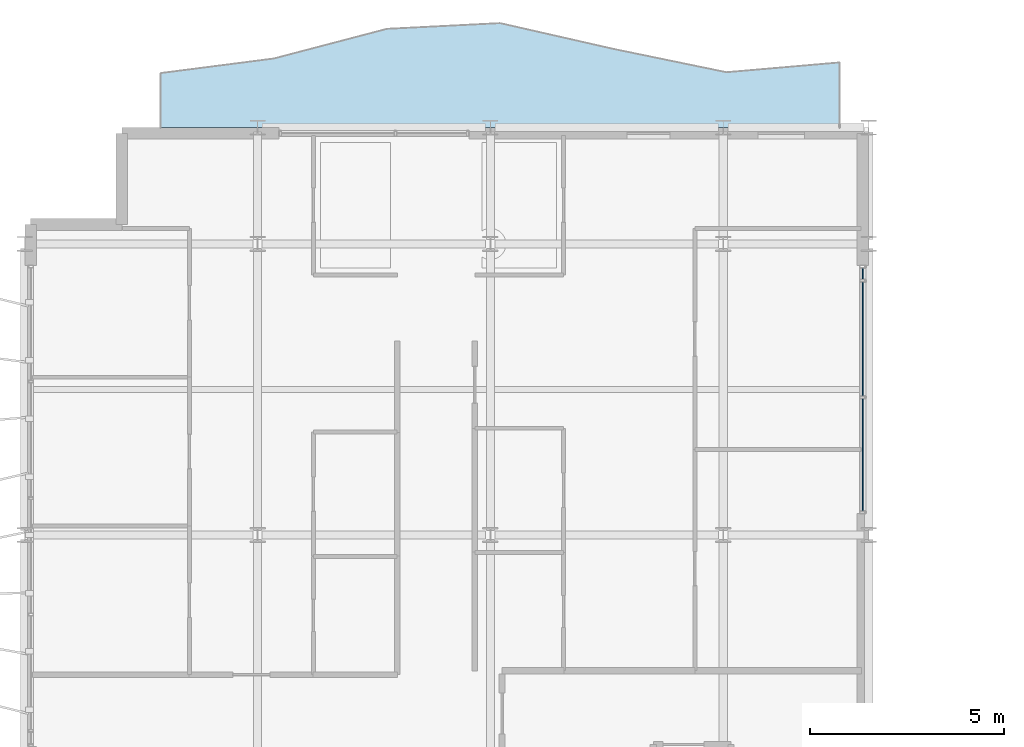
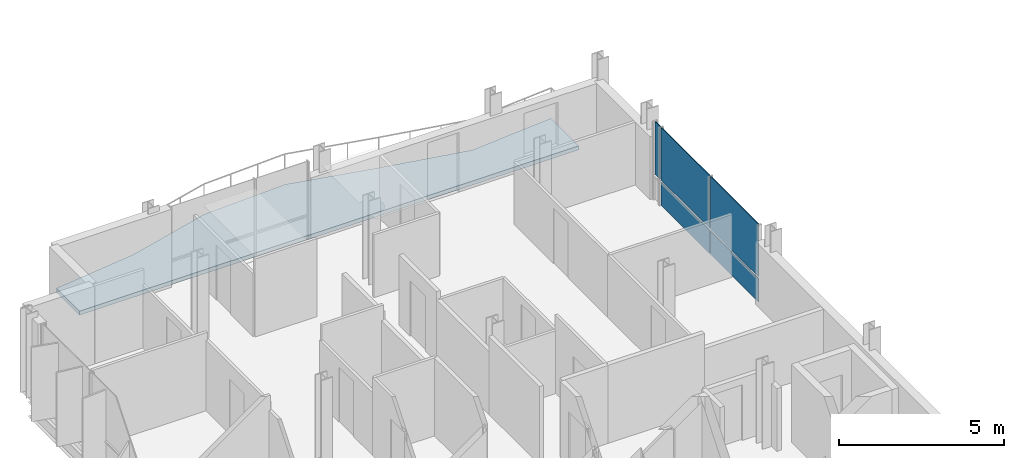
# One storey, part 16 of 28: 5 plates, 1 slab, 1 element without a shape of its own.
"""IFC4 building model written with IfcOpenShell, lengths in metres."""

from ifc_helpers import new_model, si_unit, direction, frame, origin, origin_2d, place, context, subcontext, project, spatial, polyline, rectangle, outline, extrude, material, layer, layer_set, type_object, element, aggregate, save


model = new_model("IFC4")

# Units and contexts
model_context = context("Model", 3, precision=1e-05, world=origin(), true_north=direction((0.0, 1.0)))
body_context = subcontext(model_context, "Body", "Model", "MODEL_VIEW")
ifc_project = project(units=[si_unit("LENGTHUNIT", "METRE"), si_unit("AREAUNIT", "SQUARE_METRE"), si_unit("VOLUMEUNIT", "CUBIC_METRE"), si_unit("PLANEANGLEUNIT", "RADIAN"), si_unit("MASSUNIT", "GRAM", prefix="KILO")], contexts=[model_context])

# Site, building, storey
site_placement = place(None, origin())
site = spatial("IfcSite", under=ifc_project, at=site_placement, CompositionType="ELEMENT")
building_placement = place(site_placement, origin())
building = spatial("IfcBuilding", under=site, at=building_placement, Name="Brevholm Reach", CompositionType="ELEMENT")
storey_placement = place(building_placement, frame((0.0, 0.0, 192.5)))
storey = spatial("IfcBuildingStorey", under=building, at=storey_placement, Name="L58", CompositionType="ELEMENT", Elevation=192.5)

# Curtain wall, plates
ifc_material_1 = material(Name="Dark Anodised Aluminium 6063-T6 and Solar-Control Glass", Category="aluminium")
ifc_layer_1 = layer(ifc_material_1, 0.1650390625)
ifc_layer_set_1 = layer_set([ifc_layer_1], Name="Dark Anodised Aluminium 6063-T6 and Solar-Control Glass")
curtain_wall_type = type_object("IfcCurtainWallType", Name="CW-04", PredefinedType="NOTDEFINED", material=ifc_layer_set_1)
curtain_wall_placement = place(storey_placement, origin())
curtain_wall = element("IfcCurtainWall", 1, at=curtain_wall_placement, inside=storey, type_object=curtain_wall_type, Name="L58 Curtain Wall CW-04", PredefinedType="NOTDEFINED")
ifc_material_2 = material(Name="Dark Solar-Control Double-Glazed IGU Glass", Category="glass")
ifc_layer_2 = layer(ifc_material_2, 0.028076171875)
ifc_layer_set_2 = layer_set([ifc_layer_2], Name="Dark Solar-Control Double-Glazed IGU Glass")
plate_type = type_object("IfcPlateType", Name="CWP-GLZ-28", PredefinedType="CURTAIN_PANEL", material=ifc_layer_set_2)
plate_1_placement = place(storey_placement, frame((21.60009765625, 18.0673828125, 0.0), z_axis=(0.0, 0.0, 1.0), x_axis=(0.0, 1.0, 0.0)))
plate_1 = element("IfcPlate", 2, at=plate_1_placement, type_object=plate_type, Name="CP-01 Glazing Panel 1.1", PredefinedType="CURTAIN_PANEL", context=body_context, shape_type="SweptSolid", body=[
    extrude(rectangle(XDim=2.89501953125, YDim=0.028076171875, at=origin_2d()), origin(), (0.0, 0.0, 1.0), 0.864990234375),
])
plate_2_placement = place(storey_placement, frame((21.60009765625, 18.0673828125, 0.93505859375), z_axis=(0.0, 0.0, 1.0), x_axis=(0.0, 1.0, 0.0)))
plate_2 = element("IfcPlate", 3, at=plate_2_placement, type_object=plate_type, Name="CP-01 Glazing Panel 1.2", PredefinedType="CURTAIN_PANEL", context=body_context, shape_type="SweptSolid", body=[
    extrude(rectangle(XDim=2.89501953125, YDim=0.028076171875, at=origin_2d()), origin(), (0.0, 0.0, 1.0), 1.955078125),
])
plate_3_placement = place(storey_placement, frame((21.60009765625, 21.050048828125, 0.0), z_axis=(0.0, 0.0, 1.0), x_axis=(0.0, 1.0, 0.0)))
plate_3 = element("IfcPlate", 4, at=plate_3_placement, type_object=plate_type, Name="CP-01 Glazing Panel 2.1", PredefinedType="CURTAIN_PANEL", context=body_context, shape_type="SweptSolid", body=[
    extrude(rectangle(XDim=2.929931640625, YDim=0.028076171875, at=origin_2d()), origin(), (0.0, 0.0, 1.0), 0.864990234375),
])
plate_4_placement = place(storey_placement, frame((21.60009765625, 21.050048828125, 0.93505859375), z_axis=(0.0, 0.0, 1.0), x_axis=(0.0, 1.0, 0.0)))
plate_4 = element("IfcPlate", 5, at=plate_4_placement, type_object=plate_type, Name="CP-01 Glazing Panel 2.2", PredefinedType="CURTAIN_PANEL", context=body_context, shape_type="SweptSolid", body=[
    extrude(rectangle(XDim=2.929931640625, YDim=0.028076171875, at=origin_2d()), origin(), (0.0, 0.0, 1.0), 1.955078125),
])
plate_5_placement = place(storey_placement, frame((21.60009765625, 22.732421875, 0.93505859375), z_axis=(0.0, 0.0, 1.0), x_axis=(0.0, 1.0, 0.0)))
plate_5 = element("IfcPlate", 6, at=plate_5_placement, type_object=plate_type, Name="CP-01 Glazing Panel 3.2", PredefinedType="CURTAIN_PANEL", context=body_context, shape_type="SweptSolid", body=[
    extrude(rectangle(XDim=0.294921875, YDim=0.028076171875, at=origin_2d()), origin(), (0.0, 0.0, 1.0), 1.955078125),
])
aggregate(curtain_wall, [plate_1, plate_2, plate_3, plate_4, plate_5])

# Slab
ifc_material_3 = material(Name="Precast Concrete C45/55", Category="concrete")
ifc_layer_3 = layer(ifc_material_3, 0.14990234375)
ifc_layer_set_3 = layer_set([ifc_layer_3], Name="Precast Concrete C45/55")
slab_type = type_object("IfcSlabType", Name="SLB-BAL-150", PredefinedType="FLOOR", material=ifc_layer_set_3)
slab_placement = place(storey_placement, frame((0.0, 0.0, -0.14990234375)))
element("IfcSlab", 7, at=slab_placement, inside=storey, type_object=slab_type, Name="L58 Rippling External Balcony NW", PredefinedType="FLOOR", context=body_context, shape_type="SweptSolid", body=[
    extrude(outline(polyline([(3.5, 26.5), (21.0, 26.5), (21.0, 28.17822265625), (18.083251953125, 27.926025390625), (15.166748046875, 28.52783203125), (12.25, 29.191650390625), (9.333251953125, 29.0439453125), (6.416748046875, 28.279052734375), (3.5, 27.90380859375), (3.5, 26.5)])), origin(), (0.0, 0.0, 1.0), 0.14990234375),
])

save(model, "model.ifc")
